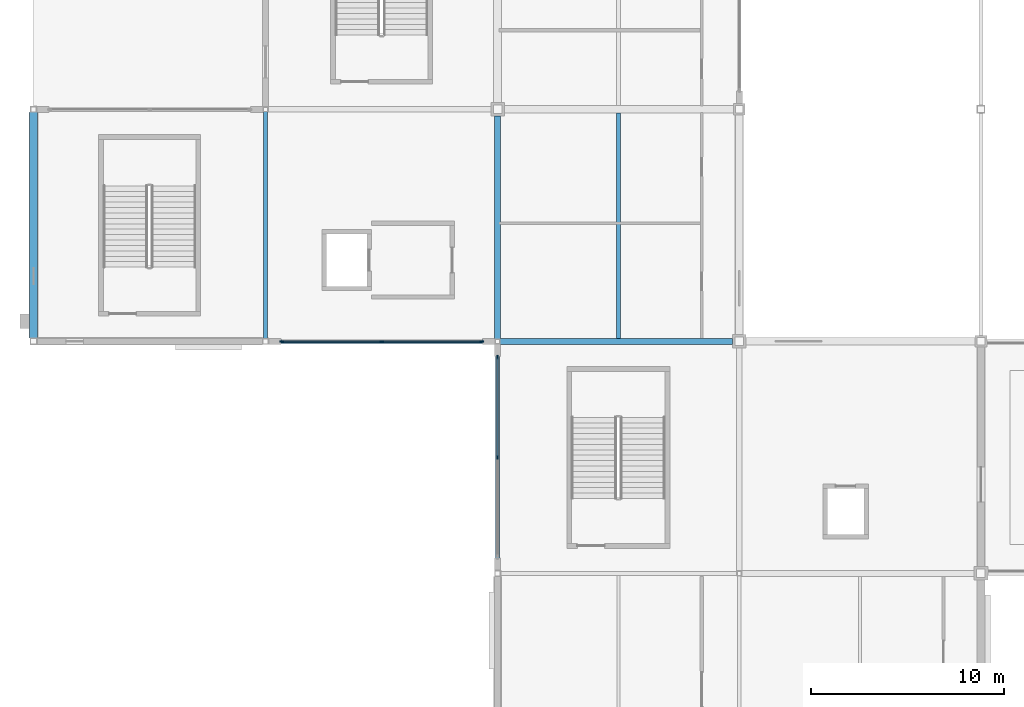
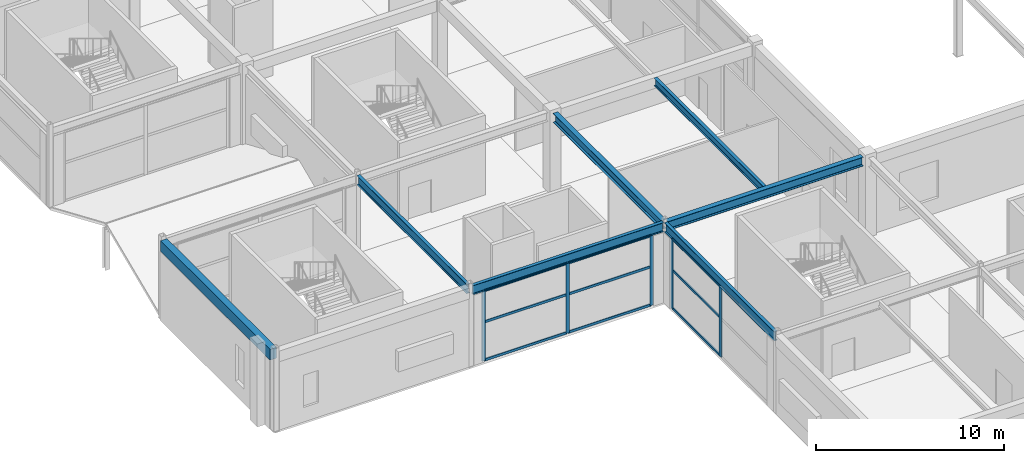
# One storey, part 27 of 105: 14 members, 7 beams, 2 elements without a shape of their own.
"""IFC4 building model written with IfcOpenShell, lengths in metres."""

from ifc_helpers import new_model, si_unit, direction, frame, origin, origin_2d, place, context, subcontext, project, spatial, rectangle, i_section, extrude, material, layer, layer_set, material_profile, profile_set, type_object, element, aggregate, save


model = new_model("IFC4")

# Units and contexts
model_context = context("Model", 3, precision=1e-05, world=origin(), true_north=direction((0.0, 1.0)))
body_context = subcontext(model_context, "Body", "Model", "MODEL_VIEW")
ifc_project = project(units=[si_unit("LENGTHUNIT", "METRE"), si_unit("AREAUNIT", "SQUARE_METRE"), si_unit("VOLUMEUNIT", "CUBIC_METRE"), si_unit("PLANEANGLEUNIT", "RADIAN"), si_unit("MASSUNIT", "GRAM", prefix="KILO")], contexts=[model_context])

# Site, building, storey
site_placement = place(None, origin())
site = spatial("IfcSite", under=ifc_project, at=site_placement, CompositionType="ELEMENT")
building_placement = place(site_placement, origin())
building = spatial("IfcBuilding", under=site, at=building_placement, Name="Kazenohara Klinker Stadium", CompositionType="ELEMENT")
storey_placement = place(building_placement, frame((0.0, 0.0, 20.39990234375)))
storey = spatial("IfcBuildingStorey", under=building, at=storey_placement, Name="L04", CompositionType="ELEMENT", Elevation=20.39990234375)

# Beams
ifc_material_1 = material(Name="Steel S355", Category="steel")
ifc_material_profile_1 = material_profile(ifc_material_1, i_section(OverallWidth=0.199951171875, OverallDepth=0.5, WebThickness=0.010009765625, FlangeThickness=0.01611328125, FilletRadius=0.012939453125, at=origin_2d()), Name="H-500x200x10x16")
ifc_profile_set_1 = profile_set([ifc_material_profile_1], Name="Steel S355")
beam_type_1 = type_object("IfcBeamType", Name="BM-JST01", PredefinedType="JOIST", material=ifc_profile_set_1)
beam_1_placement = place(storey_placement, frame((30.25, 36.14990234375, 4.93017578125), z_axis=(0.0, 1.0, 0.0), x_axis=(-1.0, 0.0, 0.0)))
element("IfcBeam", 1, at=beam_1_placement, inside=storey, type_object=beam_type_1, Name="Secondary floor joist SJ01 L04 3/D", PredefinedType="JOIST", context=body_context, shape_type="SweptSolid", body=[
    extrude(i_section(OverallWidth=0.199951171875, OverallDepth=0.5, WebThickness=0.010009765625, FlangeThickness=0.01611328125, FilletRadius=0.012939453125, at=origin_2d()), origin(), (0.0, 0.0, 1.0), 11.650146484375),
])
ifc_material_2 = material(Name="Concrete C40/50", Category="concrete")
ifc_material_profile_2 = material_profile(ifc_material_2, rectangle(XDim=0.39990234375, YDim=0.699951171875, at=origin_2d()), Name="RC-BM-400x700")
ifc_profile_set_2 = profile_set([ifc_material_profile_2], Name="Concrete C40/50")
beam_type_2 = type_object("IfcBeamType", Name="BM-RC04", PredefinedType="BEAM", material=ifc_profile_set_2)
beam_2_placement = place(storey_placement, frame((0.0, 36.175048828125, 4.830078125), z_axis=(0.0, 1.0, 0.0), x_axis=(-1.0, 0.0, 0.0)))
element("IfcBeam", 2, at=beam_2_placement, inside=storey, type_object=beam_type_2, Name="Primary girder BG04 L04 1/D-E", PredefinedType="BEAM", context=body_context, shape_type="SweptSolid", body=[
    extrude(rectangle(XDim=0.39990234375, YDim=0.699951171875, at=origin_2d()), origin(), (0.0, 0.0, 1.0), 11.675048828125),
])
ifc_material_profile_3 = material_profile(ifc_material_1, i_section(OverallWidth=0.199951171875, OverallDepth=0.60009765625, WebThickness=0.010986328125, FlangeThickness=0.01708984375, FilletRadius=0.012939453125, at=origin_2d()), Name="H-600x200x11x17")
ifc_profile_set_3 = profile_set([ifc_material_profile_3], Name="Steel S355")
beam_type_3 = type_object("IfcBeamType", Name="BM-ST04", PredefinedType="BEAM", material=ifc_profile_set_3)
for number, where, z_axis, x_axis, name in (
    (3, (12.14990234375, 36.0, 4.880126953125), (1.0, 0.0, 0.0), (0.0, 1.0, 0.0), "Primary girder SB04 L04 2-3/D"),
    (4, (12.0, 36.14990234375, 4.880126953125), (0.0, 1.0, 0.0), (-1.0, 0.0, 0.0), "Primary girder SB04 L04 2/D-E"),
    (5, (24.0, 24.14990234375, 4.880126953125), (0.0, 1.0, 0.0), (-1.0, 0.0, 0.0), "Primary girder SB04 L04 3/C-D"),
):
    element("IfcBeam", number, at=place(storey_placement, frame(where, z_axis=z_axis, x_axis=x_axis)), inside=storey, type_object=beam_type_3, Name=name, PredefinedType="BEAM", context=body_context, shape_type="SweptSolid", body=[
        extrude(i_section(OverallWidth=0.199951171875, OverallDepth=0.60009765625, WebThickness=0.010986328125, FlangeThickness=0.01708984375, FilletRadius=0.012939453125, at=origin_2d()), origin(), (0.0, 0.0, 1.0), 11.72509765625),
    ])
ifc_material_profile_4 = material_profile(ifc_material_1, i_section(OverallWidth=0.300048828125, OverallDepth=0.587890625, WebThickness=0.011962890625, FlangeThickness=0.02001953125, FilletRadius=0.02197265625, at=origin_2d()), Name="H-588x300x12x20")
ifc_profile_set_4 = profile_set([ifc_material_profile_4], Name="Steel S355")
beam_type_4 = type_object("IfcBeamType", Name="BM-ST05", PredefinedType="BEAM", material=ifc_profile_set_4)
beam_3_placement = place(storey_placement, frame((24.125, 36.0, 4.885986328125), z_axis=(1.0, 0.0, 0.0), x_axis=(0.0, 1.0, 0.0)))
element("IfcBeam", 6, at=beam_3_placement, inside=storey, type_object=beam_type_4, Name="Primary girder SB05 L04 3-4/D", PredefinedType="BEAM", context=body_context, shape_type="SweptSolid", body=[
    extrude(i_section(OverallWidth=0.300048828125, OverallDepth=0.587890625, WebThickness=0.011962890625, FlangeThickness=0.02001953125, FilletRadius=0.02197265625, at=origin_2d()), origin(), (0.0, 0.0, 1.0), 12.02490234375),
])
beam_4_placement = place(storey_placement, frame((24.0, 36.125, 4.885986328125), z_axis=(0.0, 1.0, 0.0), x_axis=(-1.0, 0.0, 0.0)))
element("IfcBeam", 7, at=beam_4_placement, inside=storey, type_object=beam_type_4, Name="Primary girder SB05 L04 3/D-E", PredefinedType="BEAM", context=body_context, shape_type="SweptSolid", body=[
    extrude(i_section(OverallWidth=0.300048828125, OverallDepth=0.587890625, WebThickness=0.011962890625, FlangeThickness=0.02001953125, FilletRadius=0.02197265625, at=origin_2d()), origin(), (0.0, 0.0, 1.0), 11.52490234375),
])

# Curtain wall, members
ifc_material_3 = material(Name="Anodised aluminium and triple glazing", Category="aluminium")
ifc_layer_1 = layer(ifc_material_3, 0.199951171875)
ifc_layer_set_1 = layer_set([ifc_layer_1], Name="Anodised aluminium and triple glazing")
curtain_wall_type_1 = type_object("IfcCurtainWallType", Name="CW-SYS-03", PredefinedType="USERDEFINED", material=ifc_layer_set_1)
curtain_wall_1_placement = place(storey_placement, origin())
curtain_wall_1 = element("IfcCurtainWall", 8, at=curtain_wall_1_placement, inside=storey, type_object=curtain_wall_type_1, Name="Unitised facade curtain wall CW03 L04 X1-3", ObjectType="UNITISED CURTAIN WALL", PredefinedType="USERDEFINED")
ifc_material_4 = material(Name="Anodised aluminium 6063-T6", Category="aluminium")
ifc_material_profile_5 = material_profile(ifc_material_4, rectangle(XDim=0.074951171875, YDim=0.219970703125, at=origin_2d()), Name="ALU-MUL-75x220")
ifc_profile_set_5 = profile_set([ifc_material_profile_5], Name="Anodised aluminium 6063-T6")
member_type_1 = type_object("IfcMemberType", Name="CW-MUL-220", PredefinedType="MULLION", material=ifc_profile_set_5)
member_1_placement = place(storey_placement, frame((12.841552734375, 36.0, 0.0), z_axis=(0.0, 0.0, 1.0), x_axis=(0.0, 1.0, 0.0)))
member_1 = element("IfcMember", 9, at=member_1_placement, type_object=member_type_1, Name="CW03 mullion 1", PredefinedType="MULLION", context=body_context, shape_type="SweptSolid", body=[
    extrude(rectangle(XDim=0.074951171875, YDim=0.219970703125, at=origin_2d()), origin(), (0.0, 0.0, 1.0), 4.580078125),
])
member_2_placement = place(storey_placement, frame((18.012451171875, 36.0, 0.0), z_axis=(0.0, 0.0, 1.0), x_axis=(0.0, 1.0, 0.0)))
member_2 = element("IfcMember", 10, at=member_2_placement, type_object=member_type_1, Name="CW03 mullion 2", PredefinedType="MULLION", context=body_context, shape_type="SweptSolid", body=[
    extrude(rectangle(XDim=0.074951171875, YDim=0.219970703125, at=origin_2d()), origin(), (0.0, 0.0, 1.0), 4.580078125),
])
member_3_placement = place(storey_placement, frame((23.18359375, 36.0, 0.0), z_axis=(0.0, 0.0, 1.0), x_axis=(0.0, 1.0, 0.0)))
member_3 = element("IfcMember", 11, at=member_3_placement, type_object=member_type_1, Name="CW03 mullion 3", PredefinedType="MULLION", context=body_context, shape_type="SweptSolid", body=[
    extrude(rectangle(XDim=0.074951171875, YDim=0.219970703125, at=origin_2d()), origin(), (0.0, 0.0, 1.0), 4.580078125),
])

ifc_layer_2 = layer(ifc_material_3, 0.179931640625)
ifc_layer_set_2 = layer_set([ifc_layer_2], Name="Anodised aluminium and triple glazing")
curtain_wall_type_2 = type_object("IfcCurtainWallType", Name="CW-SYS-02", PredefinedType="USERDEFINED", material=ifc_layer_set_2)
curtain_wall_2_placement = place(storey_placement, origin())
curtain_wall_2 = element("IfcCurtainWall", 12, at=curtain_wall_2_placement, inside=storey, type_object=curtain_wall_type_2, Name="Unitised facade curtain wall CW02 L04 Y2-2", ObjectType="UNITISED CURTAIN WALL", PredefinedType="USERDEFINED")
member_4_placement = place(storey_placement, frame((24.0, 30.012451171875, 0.0), z_axis=(0.0, 0.0, 1.0), x_axis=(-1.0, 0.0, 0.0)))
member_4 = element("IfcMember", 13, at=member_4_placement, type_object=member_type_1, Name="CW02 mullion 2", PredefinedType="MULLION", context=body_context, shape_type="SweptSolid", body=[
    extrude(rectangle(XDim=0.074951171875, YDim=0.219970703125, at=origin_2d()), origin(), (0.0, 0.0, 1.0), 4.580078125),
])
member_5_placement = place(storey_placement, frame((24.0, 35.18359375, 0.0), z_axis=(0.0, 0.0, 1.0), x_axis=(-1.0, 0.0, 0.0)))
member_5 = element("IfcMember", 14, at=member_5_placement, type_object=member_type_1, Name="CW02 mullion 3", PredefinedType="MULLION", context=body_context, shape_type="SweptSolid", body=[
    extrude(rectangle(XDim=0.074951171875, YDim=0.219970703125, at=origin_2d()), origin(), (0.0, 0.0, 1.0), 4.580078125),
])

# Member
ifc_material_profile_6 = material_profile(ifc_material_4, rectangle(XDim=0.074951171875, YDim=0.159912109375, at=origin_2d()), Name="ALU-TRN-75x160")
ifc_profile_set_6 = profile_set([ifc_material_profile_6], Name="Anodised aluminium 6063-T6")
member_type_2 = type_object("IfcMemberType", Name="CW-TRN-160", PredefinedType="USERDEFINED", material=ifc_profile_set_6)
member_6_placement = place(storey_placement, frame((12.87890625, 36.0, 0.03759765625), z_axis=(1.0, 0.0, 0.0), x_axis=(0.0, 1.0, 0.0)))
member_6 = element("IfcMember", 15, at=member_6_placement, type_object=member_type_2, Name="CW03 transom 1.1", ObjectType="TRANSOM", PredefinedType="USERDEFINED", context=body_context, shape_type="SweptSolid", body=[
    extrude(rectangle(XDim=0.074951171875, YDim=0.159912109375, at=origin_2d()), origin(), (0.0, 0.0, 1.0), 5.09619140625),
])

member_7_placement = place(storey_placement, frame((12.87890625, 36.0, 2.51904296875), z_axis=(1.0, 0.0, 0.0), x_axis=(0.0, 1.0, 0.0)))
member_7 = element("IfcMember", 16, at=member_7_placement, type_object=member_type_2, Name="CW03 transom 1.2", ObjectType="TRANSOM", PredefinedType="USERDEFINED", context=body_context, shape_type="SweptSolid", body=[
    extrude(rectangle(XDim=0.074951171875, YDim=0.159912109375, at=origin_2d()), origin(), (0.0, 0.0, 1.0), 5.09619140625),
])

member_8_placement = place(storey_placement, frame((12.87890625, 36.0, 4.54248046875), z_axis=(1.0, 0.0, 0.0), x_axis=(0.0, 1.0, 0.0)))
member_8 = element("IfcMember", 17, at=member_8_placement, type_object=member_type_2, Name="CW03 transom 1.3", ObjectType="TRANSOM", PredefinedType="USERDEFINED", context=body_context, shape_type="SweptSolid", body=[
    extrude(rectangle(XDim=0.074951171875, YDim=0.159912109375, at=origin_2d()), origin(), (0.0, 0.0, 1.0), 5.09619140625),
])

member_9_placement = place(storey_placement, frame((18.050048828125, 36.0, 0.03759765625), z_axis=(1.0, 0.0, 0.0), x_axis=(0.0, 1.0, 0.0)))
member_9 = element("IfcMember", 18, at=member_9_placement, type_object=member_type_2, Name="CW03 transom 2.1", ObjectType="TRANSOM", PredefinedType="USERDEFINED", context=body_context, shape_type="SweptSolid", body=[
    extrude(rectangle(XDim=0.074951171875, YDim=0.159912109375, at=origin_2d()), origin(), (0.0, 0.0, 1.0), 5.095947265625),
])

member_10_placement = place(storey_placement, frame((18.050048828125, 36.0, 2.51904296875), z_axis=(1.0, 0.0, 0.0), x_axis=(0.0, 1.0, 0.0)))
member_10 = element("IfcMember", 19, at=member_10_placement, type_object=member_type_2, Name="CW03 transom 2.2", ObjectType="TRANSOM", PredefinedType="USERDEFINED", context=body_context, shape_type="SweptSolid", body=[
    extrude(rectangle(XDim=0.074951171875, YDim=0.159912109375, at=origin_2d()), origin(), (0.0, 0.0, 1.0), 5.095947265625),
])

member_11_placement = place(storey_placement, frame((18.050048828125, 36.0, 4.54248046875), z_axis=(1.0, 0.0, 0.0), x_axis=(0.0, 1.0, 0.0)))
member_11 = element("IfcMember", 20, at=member_11_placement, type_object=member_type_2, Name="CW03 transom 2.3", ObjectType="TRANSOM", PredefinedType="USERDEFINED", context=body_context, shape_type="SweptSolid", body=[
    extrude(rectangle(XDim=0.074951171875, YDim=0.159912109375, at=origin_2d()), origin(), (0.0, 0.0, 1.0), 5.095947265625),
])

aggregate(curtain_wall_1, [member_1, member_2, member_3, member_6, member_7, member_8, member_9, member_10, member_11])

member_12_placement = place(storey_placement, frame((24.0, 30.050048828125, 0.03759765625), z_axis=(0.0, 1.0, 0.0), x_axis=(-1.0, 0.0, 0.0)))
member_12 = element("IfcMember", 21, at=member_12_placement, type_object=member_type_2, Name="CW02 transom 2.1", ObjectType="TRANSOM", PredefinedType="USERDEFINED", context=body_context, shape_type="SweptSolid", body=[
    extrude(rectangle(XDim=0.074951171875, YDim=0.159912109375, at=origin_2d()), origin(), (0.0, 0.0, 1.0), 5.095947265625),
])

member_13_placement = place(storey_placement, frame((24.0, 30.050048828125, 2.51904296875), z_axis=(0.0, 1.0, 0.0), x_axis=(-1.0, 0.0, 0.0)))
member_13 = element("IfcMember", 22, at=member_13_placement, type_object=member_type_2, Name="CW02 transom 2.2", ObjectType="TRANSOM", PredefinedType="USERDEFINED", context=body_context, shape_type="SweptSolid", body=[
    extrude(rectangle(XDim=0.074951171875, YDim=0.159912109375, at=origin_2d()), origin(), (0.0, 0.0, 1.0), 5.095947265625),
])

member_14_placement = place(storey_placement, frame((24.0, 30.050048828125, 4.54248046875), z_axis=(0.0, 1.0, 0.0), x_axis=(-1.0, 0.0, 0.0)))
member_14 = element("IfcMember", 23, at=member_14_placement, type_object=member_type_2, Name="CW02 transom 2.3", ObjectType="TRANSOM", PredefinedType="USERDEFINED", context=body_context, shape_type="SweptSolid", body=[
    extrude(rectangle(XDim=0.074951171875, YDim=0.159912109375, at=origin_2d()), origin(), (0.0, 0.0, 1.0), 5.095947265625),
])

aggregate(curtain_wall_2, [member_4, member_5, member_12, member_13, member_14])

save(model, "model.ifc")
